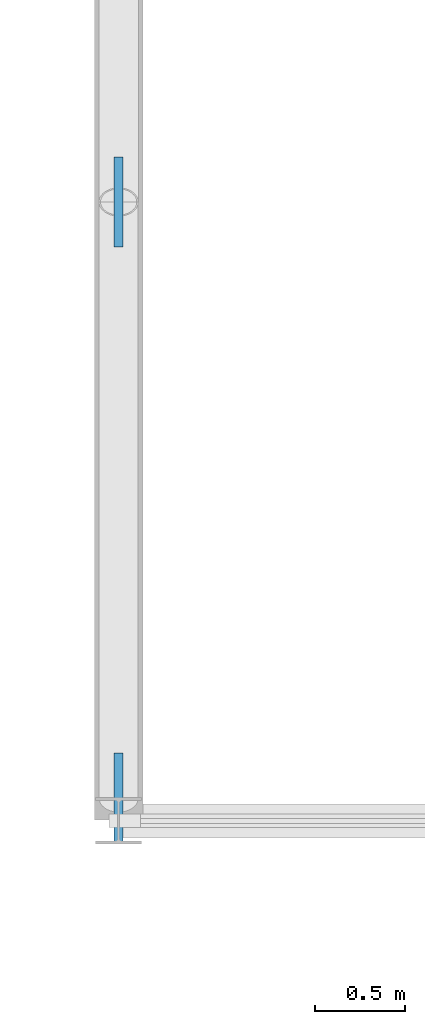
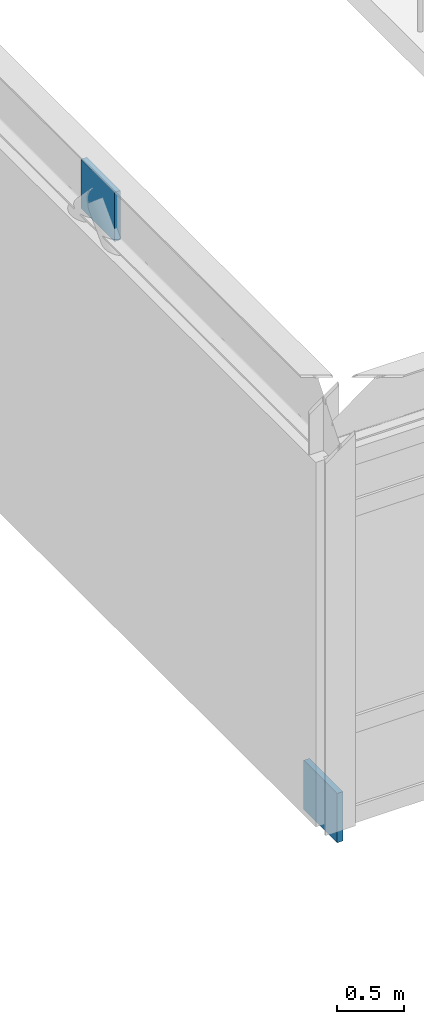
# One storey, part 115 of 144: 2 plates.
"""IFC4 building model written with IfcOpenShell, lengths in metres."""

from ifc_helpers import new_model, si_unit, direction, frame, origin, origin_2d, place, context, subcontext, project, spatial, rectangle, extrude, material, layer, layer_set, type_object, element, save


model = new_model("IFC4")

# Units and contexts
model_context = context("Model", 3, precision=1e-05, world=origin(), true_north=direction((0.0, 1.0)))
body_context = subcontext(model_context, "Body", "Model", "MODEL_VIEW")
ifc_project = project(units=[si_unit("LENGTHUNIT", "METRE"), si_unit("AREAUNIT", "SQUARE_METRE"), si_unit("VOLUMEUNIT", "CUBIC_METRE"), si_unit("PLANEANGLEUNIT", "RADIAN"), si_unit("MASSUNIT", "GRAM", prefix="KILO")], contexts=[model_context])

# Site, building, storey
site_placement = place(None, origin())
site = spatial("IfcSite", under=ifc_project, at=site_placement, CompositionType="ELEMENT")
building_placement = place(site_placement, origin())
building = spatial("IfcBuilding", under=site, at=building_placement, Name="Trelmorton Wharf Fire Station", CompositionType="ELEMENT")
storey_placement = place(building_placement, frame((0.0, 0.0, 5.39990234375)))
storey = spatial("IfcBuildingStorey", under=building, at=storey_placement, Name="L01", CompositionType="ELEMENT", Elevation=5.39990234375)

# Plates
ifc_material = material(Name="Steel Grade 350", Category="steel")
ifc_layer = layer(ifc_material, 0.050048828125)
ifc_layer_set = layer_set([ifc_layer], Name="Steel Grade 350")
plate_type = type_object("IfcPlateType", Name="PL_GUSSET_TN2", PredefinedType="USERDEFINED", material=ifc_layer_set)
for number, where, z_axis, x_axis, name in (
    (1, (0.800048828125, 60.427001953125, -0.10498046875), (0.0, 0.0, 1.0), (1.0, 0.0, 0.0), "PL-CBF-0397"),
    (2, (0.800048828125, 63.75, 3.35498046875), (0.0, 0.0, 1.0), (1.0, 0.0, 0.0), "PL-CBF-0399"),
):
    element("IfcPlate", number, at=place(storey_placement, frame(where, z_axis=z_axis, x_axis=x_axis)), inside=storey, type_object=plate_type, Name=name, ObjectType="GUSSET PLATE", PredefinedType="USERDEFINED", context=body_context, shape_type="SweptSolid", body=[
        extrude(rectangle(XDim=0.050048828125, YDim=0.5, at=origin_2d()), origin(), (0.0, 0.0, 1.0), 0.449951171875),
    ])

save(model, "model.ifc")
